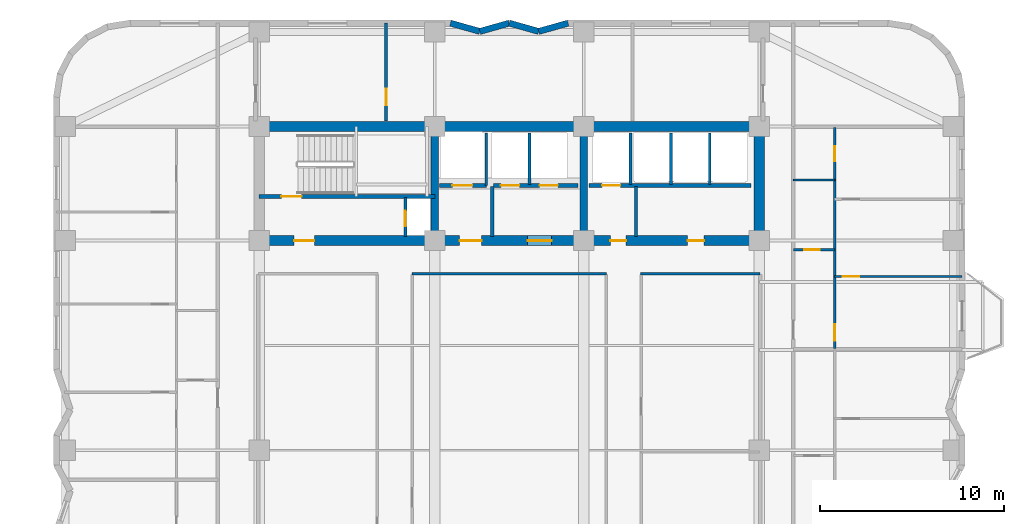
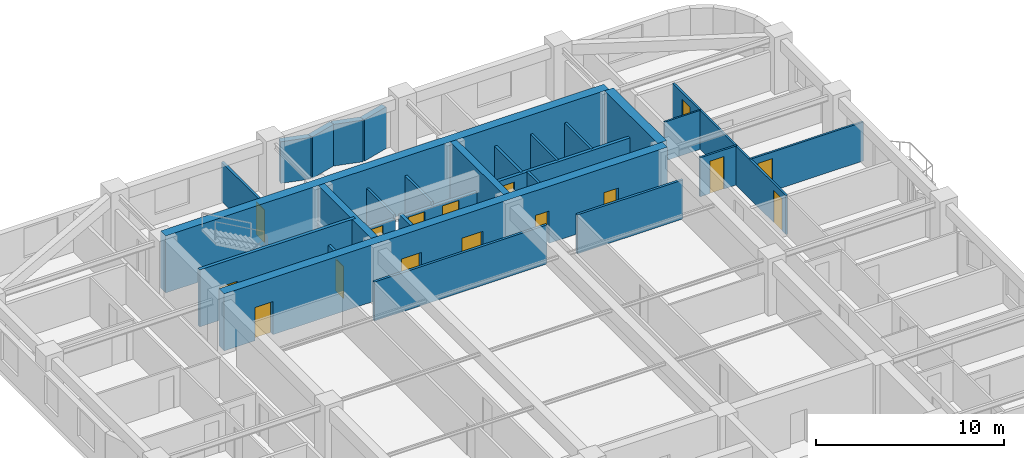
# One storey, part 6 of 9: 28 walls, 16 doors, 16 openings.
"""IFC4 building model written with IfcOpenShell, lengths in metres."""

from ifc_helpers import new_model, si_unit, direction, frame, frame_2d, origin, place, context, subcontext, project, spatial, rectangle, extrude, material, layer, layer_set, type_object, element, fill, save


model = new_model("IFC4")

# Units and contexts
model_context = context("Model", 3, precision=1e-05, world=origin(), true_north=direction((0.0, 1.0)))
body_context = subcontext(model_context, "Body", "Model", "MODEL_VIEW")
ifc_project = project(units=[si_unit("LENGTHUNIT", "METRE"), si_unit("AREAUNIT", "SQUARE_METRE"), si_unit("VOLUMEUNIT", "CUBIC_METRE"), si_unit("PLANEANGLEUNIT", "RADIAN"), si_unit("MASSUNIT", "GRAM", prefix="KILO")], contexts=[model_context])

# Site, building, storey
site_placement = place(None, origin())
site = spatial("IfcSite", under=ifc_project, at=site_placement, CompositionType="ELEMENT")
building_placement = place(site_placement, origin())
building = spatial("IfcBuilding", under=site, at=building_placement, Name="Svetorya Sky Lyceum", CompositionType="ELEMENT")
storey_placement = place(building_placement, frame((0.0, 0.0, 125.300048828125)))
storey = spatial("IfcBuildingStorey", under=building, at=storey_placement, Name="L31", CompositionType="ELEMENT", Elevation=125.300048828125)

# Walls
ifc_material_1 = material(Name="Concrete C40/50", Category="concrete")
ifc_layer_1 = layer(ifc_material_1, 0.39990234375)
ifc_layer_set_1 = layer_set([ifc_layer_1], Name="Concrete C40/50")
wall_type_1 = type_object("IfcWallType", Name="WL-CORE-400", PredefinedType="SHEAR", material=ifc_layer_set_1)
for number, where, z_axis, x_axis, name in (
    (1, (35.14990234375, 39.875, 0.0), (0.0, 0.0, 1.0), (0.0, 1.0, 0.0), "L31 NC Internal Shear Web WEB1"),
    (2, (43.25, 39.875, 0.0), (0.0, 0.0, 1.0), (0.0, 1.0, 0.0), "L31 NC Internal Shear Web WEB2"),
):
    element("IfcWall", number, at=place(storey_placement, frame(where, z_axis=z_axis, x_axis=x_axis)), inside=storey, type_object=wall_type_1, Name=name, PredefinedType="SHEAR", context=body_context, shape_type="SweptSolid", body=[
        extrude(rectangle(XDim=5.64990234375, YDim=0.39990234375, at=frame_2d((2.824951171875, 0.0))), origin(), (0.0, 0.0, 1.0), 3.699951171875),
    ])
ifc_material_2 = material(Name="Concrete C60/75", Category="concrete")
ifc_layer_2 = layer(ifc_material_2, 0.550048828125)
ifc_layer_set_2 = layer_set([ifc_layer_2], Name="Concrete C60/75")
wall_type_2 = type_object("IfcWallType", Name="WL-CORE-550", PredefinedType="SHEAR", material=ifc_layer_set_2)
wall_1_placement = place(storey_placement, frame((25.60009765625, 45.800048828125, 0.0), z_axis=(0.0, 0.0, 1.0), x_axis=(1.0, 0.0, 0.0)))
element("IfcWall", 3, at=wall_1_placement, inside=storey, type_object=wall_type_2, Name="L31 NC Outer Core Shear Wall", PredefinedType="SHEAR", context=body_context, shape_type="SweptSolid", body=[
    extrude(rectangle(XDim=27.199951171875, YDim=0.550048828125, at=frame_2d((13.60009765625, 0.0))), origin(), (0.0, 0.0, 1.0), 3.699951171875),
])
wall_2_placement = place(storey_placement, frame((52.800048828125, 39.875, 0.0), z_axis=(0.0, 0.0, 1.0), x_axis=(0.0, 1.0, 0.0)))
element("IfcWall", 4, at=wall_2_placement, inside=storey, type_object=wall_type_2, Name="L31 NC East Core Shear Wall", PredefinedType="SHEAR", context=body_context, shape_type="SweptSolid", body=[
    extrude(rectangle(XDim=5.64990234375, YDim=0.550048828125, at=frame_2d((2.824951171875, 0.0))), origin(), (0.0, 0.0, 1.0), 3.699951171875),
])

# Wall, openings, doors
wall_3_placement = place(storey_placement, frame((52.800048828125, 39.60009765625, 0.0), z_axis=(0.0, 0.0, 1.0), x_axis=(-1.0, 0.0, 0.0)))
wall_3 = element("IfcWall", 5, at=wall_3_placement, inside=storey, type_object=wall_type_2, Name="L31 NC Inner Core Shear Wall", PredefinedType="SHEAR", context=body_context, shape_type="SweptSolid", body=[
    extrude(rectangle(XDim=27.199951171875, YDim=0.550048828125, at=frame_2d((13.60009765625, 0.0))), origin(), (0.0, 0.0, 1.0), 3.699951171875),
])
opening_1_placement = place(wall_3_placement, frame((24.199951171875, 0.0, 0.0)))
opening_1 = element("IfcOpeningElement", 6, at=opening_1_placement, cuts=wall_3, Name="Opening D-ST1", PredefinedType="OPENING", context=body_context, shape_type="SweptSolid", body=[
    extrude(rectangle(XDim=1.10009765625, YDim=2.14990234375, at=frame_2d((0.550048828125, 1.074951171875))), frame((0.0, 0.284912109375, 0.0), z_axis=(0.0, -1.0, 0.0), x_axis=(1.0, 0.0, 0.0)), (0.0, 0.0, 1.0), 0.570068359375),
])
opening_2_placement = place(wall_3_placement, frame((15.10009765625, 0.0, 0.0)))
opening_2 = element("IfcOpeningElement", 7, at=opening_2_placement, cuts=wall_3, Name="Opening D-FL1", PredefinedType="OPENING", context=body_context, shape_type="SweptSolid", body=[
    extrude(rectangle(XDim=1.199951171875, YDim=2.14990234375, at=frame_2d((0.60009765625, 1.074951171875))), frame((0.0, 0.284912109375, 0.0), z_axis=(0.0, -1.0, 0.0), x_axis=(1.0, 0.0, 0.0)), (0.0, 0.0, 1.0), 0.570068359375),
])
opening_3_placement = place(wall_3_placement, frame((11.300048828125, 0.0, 0.0)))
opening_3 = element("IfcOpeningElement", 8, at=opening_3_placement, cuts=wall_3, Name="Opening D-LB1", PredefinedType="OPENING", context=body_context, shape_type="SweptSolid", body=[
    extrude(rectangle(XDim=1.300048828125, YDim=2.199951171875, at=frame_2d((0.64990234375, 1.10009765625))), frame((0.0, 0.284912109375, 0.0), z_axis=(0.0, -1.0, 0.0), x_axis=(1.0, 0.0, 0.0)), (0.0, 0.0, 1.0), 0.570068359375),
])
opening_4_placement = place(wall_3_placement, frame((7.25, 0.0, 0.0)))
opening_4 = element("IfcOpeningElement", 9, at=opening_4_placement, cuts=wall_3, Name="Opening D-CWC1", PredefinedType="OPENING", context=body_context, shape_type="SweptSolid", body=[
    extrude(rectangle(XDim=0.85009765625, YDim=2.10009765625, at=frame_2d((0.425048828125, 1.050048828125))), frame((0.0, 0.284912109375, 0.0), z_axis=(0.0, -1.0, 0.0), x_axis=(1.0, 0.0, 0.0)), (0.0, 0.0, 1.0), 0.570068359375),
])
opening_5_placement = place(wall_3_placement, frame((3.0, 0.0, 0.0)))
opening_5 = element("IfcOpeningElement", 10, at=opening_5_placement, cuts=wall_3, Name="Opening D-RM1", PredefinedType="OPENING", context=body_context, shape_type="SweptSolid", body=[
    extrude(rectangle(XDim=0.89990234375, YDim=2.10009765625, at=frame_2d((0.449951171875, 1.050048828125))), frame((0.0, 0.284912109375, 0.0), z_axis=(0.0, -1.0, 0.0), x_axis=(1.0, 0.0, 0.0)), (0.0, 0.0, 1.0), 0.570068359375),
])
ifc_material_3 = material(Name="Fire-rated galvanized steel core service closet door", Category="steel")
door_type_1 = type_object("IfcDoorType", Name="DR-CWET-850", OperationType="SINGLE_SWING_LEFT", PredefinedType="DOOR", material=ifc_material_3)
door_1_placement = place(opening_4_placement, origin())
door_1 = element("IfcDoor", 11, at=door_1_placement, inside=storey, type_object=door_type_1, Name="L31 Mid-Rise Lift PM3 Lobby Door", OperationType="SINGLE_SWING_LEFT", OverallHeight=2.10009765625, OverallWidth=0.85009765625, PredefinedType="DOOR", context=body_context, shape_type="SweptSolid", body=[
    extrude(rectangle(XDim=0.85009765625, YDim=2.10009765625, at=frame_2d((0.425048828125, 1.050048828125))), frame((0.0, 0.02490234375, 0.0), z_axis=(0.0, -1.0, 0.0), x_axis=(1.0, 0.0, 0.0)), (0.0, 0.0, 1.0), 0.050048828125),
])
fill(opening_4, door_1)
ifc_material_4 = material(Name="Powder-coated insulated galvanized stair fire door")
door_type_2 = type_object("IfcDoorType", Name="DR-FIRE-1100", OperationType="SINGLE_SWING_LEFT", PredefinedType="DOOR", material=ifc_material_4)
door_2_placement = place(opening_1_placement, origin())
door_2 = element("IfcDoor", 12, at=door_2_placement, inside=storey, type_object=door_type_2, Name="L31 North Stair Airlock Door", OperationType="SINGLE_SWING_LEFT", OverallHeight=2.14990234375, OverallWidth=1.10009765625, PredefinedType="DOOR", context=body_context, shape_type="SweptSolid", body=[
    extrude(rectangle(XDim=1.10009765625, YDim=2.14990234375, at=frame_2d((0.550048828125, 1.074951171875))), frame((0.0, 0.02490234375, 0.0), z_axis=(0.0, -1.0, 0.0), x_axis=(1.0, 0.0, 0.0)), (0.0, 0.0, 1.0), 0.050048828125),
])
fill(opening_1, door_2)
ifc_material_5 = material(Name="Powder-coated insulated galvanized fire door")
door_type_3 = type_object("IfcDoorType", Name="DR-FIRE-1200", OperationType="SINGLE_SWING_LEFT", PredefinedType="DOOR", material=ifc_material_5)
door_3_placement = place(opening_2_placement, origin())
door_3 = element("IfcDoor", 13, at=door_3_placement, inside=storey, type_object=door_type_3, Name="L31 North Firefighting Lift Lobby Door", OperationType="SINGLE_SWING_RIGHT", OverallHeight=2.14990234375, OverallWidth=1.199951171875, PredefinedType="DOOR", context=body_context, shape_type="SweptSolid", body=[
    extrude(rectangle(XDim=1.199951171875, YDim=2.14990234375, at=frame_2d((0.60009765625, 1.074951171875))), frame((0.0, 0.02490234375, 0.0), z_axis=(0.0, -1.0, 0.0), x_axis=(1.0, 0.0, 0.0)), (0.0, 0.0, 1.0), 0.050048828125),
])
fill(opening_2, door_3)
ifc_material_6 = material(Name="Lacquered birch veneer internal door")
door_type_4 = type_object("IfcDoorType", Name="DR-INT-900", OperationType="SINGLE_SWING_LEFT", PredefinedType="DOOR", material=ifc_material_6)
door_4_placement = place(opening_5_placement, origin())
door_4 = element("IfcDoor", 14, at=door_4_placement, inside=storey, type_object=door_type_4, Name="L31 Mid-Rise Store Door", OperationType="SINGLE_SWING_RIGHT", OverallHeight=2.10009765625, OverallWidth=0.89990234375, PredefinedType="DOOR", context=body_context, shape_type="SweptSolid", body=[
    extrude(rectangle(XDim=0.89990234375, YDim=2.10009765625, at=frame_2d((0.449951171875, 1.050048828125))), frame((0.0, 0.02490234375, 0.0), z_axis=(0.0, -1.0, 0.0), x_axis=(1.0, 0.0, 0.0)), (0.0, 0.0, 1.0), 0.050048828125),
])
fill(opening_5, door_4)
ifc_material_7 = material(Name="Glazed fire-rated aluminium lobby door", Category="aluminium")
door_type_5 = type_object("IfcDoorType", Name="DR-LOB-1300", OperationType="SINGLE_SWING_LEFT", PredefinedType="DOOR", material=ifc_material_7)
door_5_placement = place(opening_3_placement, origin())
door_5 = element("IfcDoor", 15, at=door_5_placement, inside=storey, type_object=door_type_5, Name="L31 Mid-Rise Lift Lobby West Door", OperationType="SINGLE_SWING_LEFT", OverallHeight=2.199951171875, OverallWidth=1.300048828125, PredefinedType="DOOR", context=body_context, shape_type="SweptSolid", body=[
    extrude(rectangle(XDim=1.300048828125, YDim=2.199951171875, at=frame_2d((0.64990234375, 1.10009765625))), frame((0.0, 0.02490234375, 0.0), z_axis=(0.0, -1.0, 0.0), x_axis=(1.0, 0.0, 0.0)), (0.0, 0.0, 1.0), 0.050048828125),
])
fill(opening_3, door_5)

# Walls
ifc_material_8 = material(Name="Putilovo limestone rainscreen on autoclaved cellular masonry", Category="masonry")
ifc_layer_3 = layer(ifc_material_8, 0.340087890625)
ifc_layer_set_3 = layer_set([ifc_layer_3], Name="Putilovo limestone rainscreen on autoclaved cellular masonry")
wall_type_3 = type_object("IfcWallType", Name="WL-EXT-340", PredefinedType="SOLIDWALL", material=ifc_layer_set_3)
wall_4_placement = place(storey_placement, frame((42.39990234375, 51.429931640625, 0.0), z_axis=(0.0, 0.0, 1.0), x_axis=(-0.962652136636, -0.270741322725, 0.0)))
element("IfcWall", 16, at=wall_4_placement, inside=storey, type_object=wall_type_3, Name="L31 Limestone Exterior Wall 30M", PredefinedType="SOLIDWALL", context=body_context, shape_type="SweptSolid", body=[
    extrude(rectangle(XDim=1.661865234375, YDim=0.340087890625, at=frame_2d((0.8310546875, 0.0))), origin(), (0.0, 0.0, 1.0), 2.699951171875),
])
wall_5_placement = place(storey_placement, frame((40.800048828125, 50.97998046875, 0.0), z_axis=(0.0, 0.0, 1.0), x_axis=(-0.962662902433, 0.270703040766, 0.0)))
element("IfcWall", 17, at=wall_5_placement, inside=storey, type_object=wall_type_3, Name="L31 Limestone Exterior Wall 31M", PredefinedType="SOLIDWALL", context=body_context, shape_type="SweptSolid", body=[
    extrude(rectangle(XDim=1.662109375, YDim=0.340087890625, at=frame_2d((0.8310546875, 0.0))), origin(), (0.0, 0.0, 1.0), 2.699951171875),
])
wall_6_placement = place(storey_placement, frame((39.199951171875, 51.429931640625, 0.0), z_axis=(0.0, 0.0, 1.0), x_axis=(-0.962652136636, -0.270741322725, 0.0)))
element("IfcWall", 18, at=wall_6_placement, inside=storey, type_object=wall_type_3, Name="L31 Limestone Exterior Wall 32M", PredefinedType="SOLIDWALL", context=body_context, shape_type="SweptSolid", body=[
    extrude(rectangle(XDim=1.661865234375, YDim=0.340087890625, at=frame_2d((0.8310546875, 0.0))), origin(), (0.0, 0.0, 1.0), 2.699951171875),
])
wall_7_placement = place(storey_placement, frame((37.60009765625, 50.97998046875, 0.0), z_axis=(0.0, 0.0, 1.0), x_axis=(-0.962662902433, 0.270703040766, 0.0)))
element("IfcWall", 19, at=wall_7_placement, inside=storey, type_object=wall_type_3, Name="L31 Limestone Exterior Wall 33M", PredefinedType="SOLIDWALL", context=body_context, shape_type="SweptSolid", body=[
    extrude(rectangle(XDim=1.662109375, YDim=0.340087890625, at=frame_2d((0.8310546875, 0.0))), origin(), (0.0, 0.0, 1.0), 2.699951171875),
])
ifc_material_9 = material(Name="Galvanized stud partition with moisture-resistant board", Category="gypsum")
ifc_layer_4 = layer(ifc_material_9, 0.10009765625)
ifc_layer_set_4 = layer_set([ifc_layer_4], Name="Galvanized stud partition with moisture-resistant board")
wall_type_4 = type_object("IfcWallType", Name="WL-PART-100", PredefinedType="PARTITIONING", material=ifc_layer_set_4)
wall_8_placement = place(storey_placement, frame((54.64990234375, 42.89990234375, 0.0), z_axis=(0.0, 0.0, 1.0), x_axis=(1.0, 0.0, 0.0)))
element("IfcWall", 20, at=wall_8_placement, inside=storey, type_object=wall_type_4, Name="L31 Interior Partition E3-WH2", PredefinedType="PARTITIONING", context=body_context, shape_type="SweptSolid", body=[
    extrude(rectangle(XDim=2.25, YDim=0.10009765625, at=frame_2d((1.125, 0.0))), origin(), (0.0, 0.0, 1.0), 2.530029296875),
])

# Wall, opening, door
ifc_material_10 = material(Name="Twin-stud galvanized framing with double fireboard", Category="gypsum")
ifc_layer_5 = layer(ifc_material_10, 0.1201171875)
ifc_layer_set_5 = layer_set([ifc_layer_5], Name="Twin-stud galvanized framing with double fireboard")
wall_type_5 = type_object("IfcWallType", Name="WL-PART-120", PredefinedType="PARTITIONING", material=ifc_layer_set_5)
wall_9_placement = place(storey_placement, frame((54.64990234375, 39.10009765625, 0.0), z_axis=(0.0, 0.0, 1.0), x_axis=(1.0, 0.0, 0.0)))
wall_9 = element("IfcWall", 21, at=wall_9_placement, inside=storey, type_object=wall_type_5, Name="L31 Interior Partition E3-WH1", PredefinedType="PARTITIONING", context=body_context, shape_type="SweptSolid", body=[
    extrude(rectangle(XDim=2.25, YDim=0.1201171875, at=frame_2d((1.125, 0.0))), origin(), (0.0, 0.0, 1.0), 2.530029296875),
])
opening_6_placement = place(wall_9_placement, frame((0.60009765625, 0.0, 0.0)))
opening_6 = element("IfcOpeningElement", 22, at=opening_6_placement, cuts=wall_9, Name="Opening D-BT1", PredefinedType="OPENING", context=body_context, shape_type="SweptSolid", body=[
    extrude(rectangle(XDim=0.85009765625, YDim=2.10009765625, at=frame_2d((0.425048828125, 1.050048828125))), frame((0.0, 0.070068359375, 0.0), z_axis=(0.0, -1.0, 0.0), x_axis=(1.0, 0.0, 0.0)), (0.0, 0.0, 1.0), 0.14013671875),
])
ifc_material_11 = material(Name="Moisture-resistant laminate bathroom door")
door_type_6 = type_object("IfcDoorType", Name="DR-WET-850", OperationType="SINGLE_SWING_LEFT", PredefinedType="DOOR", material=ifc_material_11)
door_6_placement = place(opening_6_placement, origin())
door_6 = element("IfcDoor", 23, at=door_6_placement, inside=storey, type_object=door_type_6, Name="Apartment E3 Bathroom Door", OperationType="SINGLE_SWING_RIGHT", OverallHeight=2.10009765625, OverallWidth=0.85009765625, PredefinedType="DOOR", context=body_context, shape_type="SweptSolid", body=[
    extrude(rectangle(XDim=0.85009765625, YDim=2.10009765625, at=frame_2d((0.425048828125, 1.050048828125))), frame((0.0, 0.02490234375, 0.0), z_axis=(0.0, -1.0, 0.0), x_axis=(1.0, 0.0, 0.0)), (0.0, 0.0, 1.0), 0.050048828125),
])
fill(opening_6, door_6)

wall_10_placement = place(storey_placement, frame((56.89990234375, 37.64990234375, 0.0), z_axis=(0.0, 0.0, 1.0), x_axis=(1.0, 0.0, 0.0)))
wall_10 = element("IfcWall", 24, at=wall_10_placement, inside=storey, type_object=wall_type_5, Name="L31 Interior Partition E3-WL1", PredefinedType="PARTITIONING", context=body_context, shape_type="SweptSolid", body=[
    extrude(rectangle(XDim=6.93017578125, YDim=0.1201171875, at=frame_2d((3.465087890625, 0.0))), origin(), (0.0, 0.0, 1.0), 2.530029296875),
])
opening_7_placement = place(wall_10_placement, frame((0.449951171875, 0.0, 0.0)))
opening_7 = element("IfcOpeningElement", 25, at=opening_7_placement, cuts=wall_10, Name="Opening D-RM1", PredefinedType="OPENING", context=body_context, shape_type="SweptSolid", body=[
    extrude(rectangle(XDim=0.89990234375, YDim=2.10009765625, at=frame_2d((0.449951171875, 1.050048828125))), frame((0.0, 0.070068359375, 0.0), z_axis=(0.0, -1.0, 0.0), x_axis=(1.0, 0.0, 0.0)), (0.0, 0.0, 1.0), 0.14013671875),
])
door_7_placement = place(opening_7_placement, origin())
door_7 = element("IfcDoor", 26, at=door_7_placement, inside=storey, type_object=door_type_4, Name="Apartment E3 Master Bedroom Door", OperationType="SINGLE_SWING_RIGHT", OverallHeight=2.10009765625, OverallWidth=0.89990234375, PredefinedType="DOOR", context=body_context, shape_type="SweptSolid", body=[
    extrude(rectangle(XDim=0.89990234375, YDim=2.10009765625, at=frame_2d((0.449951171875, 1.050048828125))), frame((0.0, 0.02490234375, 0.0), z_axis=(0.0, -1.0, 0.0), x_axis=(1.0, 0.0, 0.0)), (0.0, 0.0, 1.0), 0.050048828125),
])
fill(opening_7, door_7)

# Wall, openings, doors
wall_11_placement = place(storey_placement, frame((56.89990234375, 33.739990234375, 0.0), z_axis=(0.0, 0.0, 1.0), x_axis=(0.0, 1.0, 0.0)))
wall_11 = element("IfcWall", 27, at=wall_11_placement, inside=storey, type_object=wall_type_5, Name="L31 Interior Partition E3-WV", PredefinedType="PARTITIONING", context=body_context, shape_type="SweptSolid", body=[
    extrude(rectangle(XDim=12.02001953125, YDim=0.1201171875, at=frame_2d((6.010009765625, 0.0))), origin(), (0.0, 0.0, 1.0), 2.530029296875),
])
opening_8_placement = place(wall_11_placement, frame((0.409912109375, 0.0, 0.0)))
opening_8 = element("IfcOpeningElement", 28, at=opening_8_placement, cuts=wall_11, Name="Opening D-RM1", PredefinedType="OPENING", context=body_context, shape_type="SweptSolid", body=[
    extrude(rectangle(XDim=0.89990234375, YDim=2.10009765625, at=frame_2d((0.449951171875, 1.050048828125))), frame((0.0, 0.070068359375, 0.0), z_axis=(0.0, -1.0, 0.0), x_axis=(1.0, 0.0, 0.0)), (0.0, 0.0, 1.0), 0.14013671875),
])
opening_9_placement = place(wall_11_placement, frame((10.18505859375, 0.0, 0.0)))
opening_9 = element("IfcOpeningElement", 29, at=opening_9_placement, cuts=wall_11, Name="Opening D-BT2", PredefinedType="OPENING", context=body_context, shape_type="SweptSolid", body=[
    extrude(rectangle(XDim=0.820068359375, YDim=2.080078125, at=frame_2d((0.41015625, 1.0400390625))), frame((0.0, 0.070068359375, 0.0), z_axis=(0.0, -1.0, 0.0), x_axis=(1.0, 0.0, 0.0)), (0.0, 0.0, 1.0), 0.14013671875),
])
door_8_placement = place(opening_8_placement, origin())
door_8 = element("IfcDoor", 30, at=door_8_placement, inside=storey, type_object=door_type_4, Name="Apartment E3 Living Door", OperationType="SINGLE_SWING_LEFT", OverallHeight=2.10009765625, OverallWidth=0.89990234375, PredefinedType="DOOR", context=body_context, shape_type="SweptSolid", body=[
    extrude(rectangle(XDim=0.89990234375, YDim=2.10009765625, at=frame_2d((0.449951171875, 1.050048828125))), frame((0.0, 0.02490234375, 0.0), z_axis=(0.0, -1.0, 0.0), x_axis=(1.0, 0.0, 0.0)), (0.0, 0.0, 1.0), 0.050048828125),
])
fill(opening_8, door_8)
ifc_material_12 = material(Name="Compact moisture-resistant laminate closet door")
door_type_7 = type_object("IfcDoorType", Name="DR-WET-820", OperationType="SINGLE_SWING_LEFT", PredefinedType="DOOR", material=ifc_material_12)
door_9_placement = place(opening_9_placement, origin())
door_9 = element("IfcDoor", 31, at=door_9_placement, inside=storey, type_object=door_type_7, Name="Apartment E3 Study Door", OperationType="SINGLE_SWING_RIGHT", OverallHeight=2.080078125, OverallWidth=0.820068359375, PredefinedType="DOOR", context=body_context, shape_type="SweptSolid", body=[
    extrude(rectangle(XDim=0.820068359375, YDim=2.080078125, at=frame_2d((0.41015625, 1.0400390625))), frame((0.0, 0.02490234375, 0.0), z_axis=(0.0, -1.0, 0.0), x_axis=(1.0, 0.0, 0.0)), (0.0, 0.0, 1.0), 0.050048828125),
])
fill(opening_9, door_9)

# Wall, opening, door
ifc_material_13 = material(Name="Autoclaved cellular masonry blockwork with acoustic render", Category="masonry")
ifc_layer_6 = layer(ifc_material_13, 0.14990234375)
ifc_layer_set_6 = layer_set([ifc_layer_6], Name="Autoclaved cellular masonry blockwork with acoustic render")
wall_type_6 = type_object("IfcWallType", Name="WL-PART-150", PredefinedType="PARTITIONING", material=ifc_layer_set_6)
wall_12_placement = place(storey_placement, frame((33.550048828125, 39.820068359375, 0.0), z_axis=(0.0, 0.0, 1.0), x_axis=(0.0, 1.0, 0.0)))
wall_12 = element("IfcWall", 32, at=wall_12_placement, inside=storey, type_object=wall_type_6, Name="L31 Interior Partition NC-RSRW", PredefinedType="PARTITIONING", context=body_context, shape_type="SweptSolid", body=[
    extrude(rectangle(XDim=2.1298828125, YDim=0.14990234375, at=frame_2d((1.06494140625, 0.0))), origin(), (0.0, 0.0, 1.0), 2.530029296875),
])
opening_10_placement = place(wall_12_placement, frame((0.550048828125, 0.0, 0.0)))
opening_10 = element("IfcOpeningElement", 33, at=opening_10_placement, cuts=wall_12, Name="Opening D-SH1", PredefinedType="OPENING", context=body_context, shape_type="SweptSolid", body=[
    extrude(rectangle(XDim=0.85009765625, YDim=2.050048828125, at=frame_2d((0.425048828125, 1.02490234375))), frame((0.0, 0.0849609375, 0.0), z_axis=(0.0, -1.0, 0.0), x_axis=(1.0, 0.0, 0.0)), (0.0, 0.0, 1.0), 0.169921875),
])
ifc_material_14 = material(Name="Insulated galvanized riser inspection fire door")
door_type_8 = type_object("IfcDoorType", Name="DR-SHFT-850", OperationType="SINGLE_SWING_LEFT", PredefinedType="TRAPDOOR", material=ifc_material_14)
door_10_placement = place(opening_10_placement, origin())
door_10 = element("IfcDoor", 34, at=door_10_placement, inside=storey, type_object=door_type_8, Name="L31 North Riser Access Door", OperationType="SINGLE_SWING_LEFT", OverallHeight=2.050048828125, OverallWidth=0.85009765625, PredefinedType="TRAPDOOR", context=body_context, shape_type="SweptSolid", body=[
    extrude(rectangle(XDim=0.85009765625, YDim=2.050048828125, at=frame_2d((0.425048828125, 1.02490234375))), frame((0.0, 0.02490234375, 0.0), z_axis=(0.0, -1.0, 0.0), x_axis=(1.0, 0.0, 0.0)), (0.0, 0.0, 1.0), 0.050048828125),
])
fill(opening_10, door_10)

# Walls
wall_13_placement = place(storey_placement, frame((37.949951171875, 42.60009765625, 0.0), z_axis=(0.0, 0.0, 1.0), x_axis=(0.0, 1.0, 0.0)))
element("IfcWall", 35, at=wall_13_placement, inside=storey, type_object=wall_type_6, Name="L31 Interior Partition NC-FL1SIDE", PredefinedType="PARTITIONING", context=body_context, shape_type="SweptSolid", body=[
    extrude(rectangle(XDim=2.849853515625, YDim=0.14990234375, at=frame_2d((1.4248046875, 0.0))), origin(), (0.0, 0.0, 1.0), 2.530029296875),
])
for number, where, z_axis, x_axis, name in (
    (36, (40.300048828125, 42.64990234375, 0.0), (0.0, 0.0, 1.0), (0.0, 1.0, 0.0), "L31 Interior Partition NC-PM-D1"),
    (37, (45.800048828125, 42.64990234375, 0.0), (0.0, 0.0, 1.0), (0.0, 1.0, 0.0), "L31 Interior Partition NC-PM3-D"),
    (38, (48.0, 42.64990234375, 0.0), (0.0, 0.0, 1.0), (0.0, 1.0, 0.0), "L31 Interior Partition NC-PH-D1"),
    (39, (50.10009765625, 42.64990234375, 0.0), (0.0, 0.0, 1.0), (0.0, 1.0, 0.0), "L31 Interior Partition NC-PH-D2"),
):
    element("IfcWall", number, at=place(storey_placement, frame(where, z_axis=z_axis, x_axis=x_axis)), inside=storey, type_object=wall_type_6, Name=name, PredefinedType="PARTITIONING", context=body_context, shape_type="SweptSolid", body=[
        extrude(rectangle(XDim=2.800048828125, YDim=0.14990234375, at=frame_2d((1.39990234375, 0.0))), origin(), (0.0, 0.0, 1.0), 2.530029296875),
    ])
wall_14_placement = place(storey_placement, frame((46.10009765625, 39.820068359375, 0.0), z_axis=(0.0, 0.0, 1.0), x_axis=(0.0, 1.0, 0.0)))
element("IfcWall", 40, at=wall_14_placement, inside=storey, type_object=wall_type_6, Name="L31 Interior Partition NC-PM3SEP", PredefinedType="PARTITIONING", context=body_context, shape_type="SweptSolid", body=[
    extrude(rectangle(XDim=2.72998046875, YDim=0.14990234375, at=frame_2d((1.364990234375, 0.0))), origin(), (0.0, 0.0, 1.0), 2.530029296875),
])
wall_15_placement = place(storey_placement, frame((33.89990234375, 37.800048828125, 0.0), z_axis=(0.0, 0.0, 1.0), x_axis=(1.0, 0.0, 0.0)))
element("IfcWall", 41, at=wall_15_placement, inside=storey, type_object=wall_type_6, Name="L31 Interior Partition RL-CN-M", PredefinedType="PARTITIONING", context=body_context, shape_type="SweptSolid", body=[
    extrude(rectangle(XDim=10.60009765625, YDim=0.14990234375, at=frame_2d((5.300048828125, 0.0))), origin(), (0.0, 0.0, 1.0), 2.530029296875),
])
wall_16_placement = place(storey_placement, frame((46.35009765625, 37.800048828125, 0.0), z_axis=(0.0, 0.0, 1.0), x_axis=(1.0, 0.0, 0.0)))
element("IfcWall", 42, at=wall_16_placement, inside=storey, type_object=wall_type_6, Name="L31 Interior Partition RL-CN-E", PredefinedType="PARTITIONING", context=body_context, shape_type="SweptSolid", body=[
    extrude(rectangle(XDim=6.5, YDim=0.14990234375, at=frame_2d((3.25, 0.0))), origin(), (0.0, 0.0, 1.0), 2.530029296875),
])

# Wall, opening, door
wall_17_placement = place(storey_placement, frame((32.5, 46.10009765625, 0.0), z_axis=(0.0, 0.0, 1.0), x_axis=(0.0, 1.0, 0.0)))
wall_17 = element("IfcWall", 43, at=wall_17_placement, inside=storey, type_object=wall_type_6, Name="L31 Interior Partition N-D1", PredefinedType="PARTITIONING", context=body_context, shape_type="SweptSolid", body=[
    extrude(rectangle(XDim=5.329833984375, YDim=0.14990234375, at=frame_2d((2.6650390625, 0.0))), origin(), (0.0, 0.0, 1.0), 2.530029296875),
])
opening_11_placement = place(wall_17_placement, frame((0.85009765625, 0.0, 0.0)))
opening_11 = element("IfcOpeningElement", 44, at=opening_11_placement, cuts=wall_17, Name="Opening D-RM1", PredefinedType="OPENING", context=body_context, shape_type="SweptSolid", body=[
    extrude(rectangle(XDim=0.89990234375, YDim=2.10009765625, at=frame_2d((0.449951171875, 1.050048828125))), frame((0.0, 0.0849609375, 0.0), z_axis=(0.0, -1.0, 0.0), x_axis=(1.0, 0.0, 0.0)), (0.0, 0.0, 1.0), 0.169921875),
])
door_11_placement = place(opening_11_placement, origin())
door_11 = element("IfcDoor", 45, at=door_11_placement, inside=storey, type_object=door_type_4, Name="L31 North Store Door", OperationType="SINGLE_SWING_RIGHT", OverallHeight=2.10009765625, OverallWidth=0.89990234375, PredefinedType="DOOR", context=body_context, shape_type="SweptSolid", body=[
    extrude(rectangle(XDim=0.89990234375, YDim=2.10009765625, at=frame_2d((0.449951171875, 1.050048828125))), frame((0.0, 0.02490234375, 0.0), z_axis=(0.0, -1.0, 0.0), x_axis=(1.0, 0.0, 0.0)), (0.0, 0.0, 1.0), 0.050048828125),
])
fill(opening_11, door_11)

ifc_material_15 = material(Name="Autoclaved cellular masonry blockwork with gypsum plaster", Category="masonry")
ifc_layer_7 = layer(ifc_material_15, 0.199951171875)
ifc_layer_set_7 = layer_set([ifc_layer_7], Name="Autoclaved cellular masonry blockwork with gypsum plaster")
wall_type_7 = type_object("IfcWallType", Name="WL-PART-200", PredefinedType="PARTITIONING", material=ifc_layer_set_7)
wall_18_placement = place(storey_placement, frame((37.949951171875, 42.60009765625, 0.0), z_axis=(0.0, 0.0, 1.0), x_axis=(-1.0, 0.0, 0.0)))
wall_18 = element("IfcWall", 46, at=wall_18_placement, inside=storey, type_object=wall_type_7, Name="L31 Interior Partition NC-FL1W", PredefinedType="PARTITIONING", context=body_context, shape_type="SweptSolid", body=[
    extrude(rectangle(XDim=2.550048828125, YDim=0.199951171875, at=frame_2d((1.27490234375, 0.0))), origin(), (0.0, 0.0, 1.0), 2.300048828125),
])
opening_12_placement = place(wall_18_placement, frame((0.75, 0.0, 0.0)))
opening_12 = element("IfcOpeningElement", 47, at=opening_12_placement, cuts=wall_18, Name="Opening LD-FL", PredefinedType="OPENING", context=body_context, shape_type="SweptSolid", body=[
    extrude(rectangle(XDim=1.10009765625, YDim=2.14990234375, at=frame_2d((0.550048828125, 1.074951171875))), frame((0.0, 0.10986328125, 0.0), z_axis=(0.0, -1.0, 0.0), x_axis=(1.0, 0.0, 0.0)), (0.0, 0.0, 1.0), 0.219970703125),
])
ifc_material_16 = material(Name="Fire-rated stainless AISI 304 firefighting lift landing door")
door_type_9 = type_object("IfcDoorType", Name="DR-LIFT-1100", OperationType="SLIDING_TO_LEFT", PredefinedType="DOOR", material=ifc_material_16)
door_12_placement = place(opening_12_placement, origin())
door_12 = element("IfcDoor", 48, at=door_12_placement, inside=storey, type_object=door_type_9, Name="L31 Firefighting Lift FL1 Landing Door", OperationType="SLIDING_TO_LEFT", OverallHeight=2.14990234375, OverallWidth=1.10009765625, PredefinedType="DOOR", context=body_context, shape_type="SweptSolid", body=[
    extrude(rectangle(XDim=1.10009765625, YDim=2.14990234375, at=frame_2d((0.550048828125, 1.074951171875))), frame((0.0, 0.02490234375, 0.0), z_axis=(0.0, -1.0, 0.0), x_axis=(1.0, 0.0, 0.0)), (0.0, 0.0, 1.0), 0.050048828125),
])
fill(opening_12, door_12)

# Wall
wall_19_placement = place(storey_placement, frame((38.280029296875, 39.820068359375, 0.0), z_axis=(0.0, 0.0, 1.0), x_axis=(0.0, 1.0, 0.0)))
element("IfcWall", 49, at=wall_19_placement, inside=storey, type_object=wall_type_7, Name="L31 Interior Partition NC-FFLDIV", PredefinedType="PARTITIONING", context=body_context, shape_type="SweptSolid", body=[
    extrude(rectangle(XDim=2.72998046875, YDim=0.199951171875, at=frame_2d((1.364990234375, 0.0))), origin(), (0.0, 0.0, 1.0), 2.530029296875),
])

# Wall, openings, doors
wall_20_placement = place(storey_placement, frame((42.949951171875, 42.60009765625, 0.0), z_axis=(0.0, 0.0, 1.0), x_axis=(-1.0, 0.0, 0.0)))
wall_20 = element("IfcWall", 50, at=wall_20_placement, inside=storey, type_object=wall_type_7, Name="L31 Interior Partition NC-PM12W", PredefinedType="PARTITIONING", context=body_context, shape_type="SweptSolid", body=[
    extrude(rectangle(XDim=4.599853515625, YDim=0.199951171875, at=frame_2d((2.2998046875, 0.0))), origin(), (0.0, 0.0, 1.0), 2.300048828125),
])
opening_13_placement = place(wall_20_placement, frame((3.199951171875, 0.0, 0.0)))
opening_13 = element("IfcOpeningElement", 51, at=opening_13_placement, cuts=wall_20, Name="Opening LD-P1", PredefinedType="OPENING", context=body_context, shape_type="SweptSolid", body=[
    extrude(rectangle(XDim=1.0, YDim=2.14990234375, at=frame_2d((0.5, 1.074951171875))), frame((0.0, 0.10986328125, 0.0), z_axis=(0.0, -1.0, 0.0), x_axis=(1.0, 0.0, 0.0)), (0.0, 0.0, 1.0), 0.219970703125),
])
opening_14_placement = place(wall_20_placement, frame((1.10009765625, 0.0, 0.0)))
opening_14 = element("IfcOpeningElement", 52, at=opening_14_placement, cuts=wall_20, Name="Opening LD-P1", PredefinedType="OPENING", context=body_context, shape_type="SweptSolid", body=[
    extrude(rectangle(XDim=1.0, YDim=2.14990234375, at=frame_2d((0.5, 1.074951171875))), frame((0.0, 0.10986328125, 0.0), z_axis=(0.0, -1.0, 0.0), x_axis=(1.0, 0.0, 0.0)), (0.0, 0.0, 1.0), 0.219970703125),
])
ifc_material_17 = material(Name="Champagne-anodized stainless passenger lift landing door")
door_type_10 = type_object("IfcDoorType", Name="DR-LIFT-1000", OperationType="SLIDING_TO_LEFT", PredefinedType="DOOR", material=ifc_material_17)
door_13_placement = place(opening_13_placement, origin())
door_13 = element("IfcDoor", 53, at=door_13_placement, inside=storey, type_object=door_type_10, Name="L31 Passenger Lift PM1 Landing Door", OperationType="SLIDING_TO_LEFT", OverallHeight=2.14990234375, OverallWidth=1.0, PredefinedType="DOOR", context=body_context, shape_type="SweptSolid", body=[
    extrude(rectangle(XDim=1.0, YDim=2.14990234375, at=frame_2d((0.5, 1.074951171875))), frame((0.0, 0.02490234375, 0.0), z_axis=(0.0, -1.0, 0.0), x_axis=(1.0, 0.0, 0.0)), (0.0, 0.0, 1.0), 0.050048828125),
])
fill(opening_13, door_13)
door_14_placement = place(opening_14_placement, origin())
door_14 = element("IfcDoor", 54, at=door_14_placement, inside=storey, type_object=door_type_10, Name="L31 Passenger Lift PM2 Landing Door", OperationType="SLIDING_TO_LEFT", OverallHeight=2.14990234375, OverallWidth=1.0, PredefinedType="DOOR", context=body_context, shape_type="SweptSolid", body=[
    extrude(rectangle(XDim=1.0, YDim=2.14990234375, at=frame_2d((0.5, 1.074951171875))), frame((0.0, 0.02490234375, 0.0), z_axis=(0.0, -1.0, 0.0), x_axis=(1.0, 0.0, 0.0)), (0.0, 0.0, 1.0), 0.050048828125),
])
fill(opening_14, door_14)

# Wall, opening, door
wall_21_placement = place(storey_placement, frame((52.35009765625, 42.60009765625, 0.0), z_axis=(0.0, 0.0, 1.0), x_axis=(-1.0, 0.0, 0.0)))
wall_21 = element("IfcWall", 55, at=wall_21_placement, inside=storey, type_object=wall_type_7, Name="L31 Interior Partition NC-PHEW", PredefinedType="PARTITIONING", context=body_context, shape_type="SweptSolid", body=[
    extrude(rectangle(XDim=8.800048828125, YDim=0.199951171875, at=frame_2d((4.39990234375, 0.0))), origin(), (0.0, 0.0, 1.0), 2.530029296875),
])
opening_15_placement = place(wall_21_placement, frame((7.10009765625, 0.0, 0.0)))
opening_15 = element("IfcOpeningElement", 56, at=opening_15_placement, cuts=wall_21, Name="Opening LD-P1", PredefinedType="OPENING", context=body_context, shape_type="SweptSolid", body=[
    extrude(rectangle(XDim=1.0, YDim=2.14990234375, at=frame_2d((0.5, 1.074951171875))), frame((0.0, 0.10986328125, 0.0), z_axis=(0.0, -1.0, 0.0), x_axis=(1.0, 0.0, 0.0)), (0.0, 0.0, 1.0), 0.219970703125),
])
door_15_placement = place(opening_15_placement, origin())
door_15 = element("IfcDoor", 57, at=door_15_placement, inside=storey, type_object=door_type_10, Name="L31 Passenger Lift PM3 Landing Door", OperationType="SLIDING_TO_LEFT", OverallHeight=2.14990234375, OverallWidth=1.0, PredefinedType="DOOR", context=body_context, shape_type="SweptSolid", body=[
    extrude(rectangle(XDim=1.0, YDim=2.14990234375, at=frame_2d((0.5, 1.074951171875))), frame((0.0, 0.02490234375, 0.0), z_axis=(0.0, -1.0, 0.0), x_axis=(1.0, 0.0, 0.0)), (0.0, 0.0, 1.0), 0.050048828125),
])
fill(opening_15, door_15)

ifc_material_18 = material(Name="Concrete C50/60", Category="concrete")
ifc_layer_8 = layer(ifc_material_18, 0.199951171875)
ifc_layer_set_8 = layer_set([ifc_layer_8], Name="Concrete C50/60")
wall_type_8 = type_object("IfcWallType", Name="WL-SHW-200", PredefinedType="SHEAR", material=ifc_layer_set_8)
wall_22_placement = place(storey_placement, frame((35.14990234375, 42.0, 0.0), z_axis=(0.0, 0.0, 1.0), x_axis=(-1.0, 0.0, 0.0)))
wall_22 = element("IfcWall", 58, at=wall_22_placement, inside=storey, type_object=wall_type_8, Name="L31 Structural Stair Shaft Wall NC-STW", PredefinedType="SHEAR", context=body_context, shape_type="SweptSolid", body=[
    extrude(rectangle(XDim=9.5498046875, YDim=0.199951171875, at=frame_2d((4.77490234375, 0.0))), origin(), (0.0, 0.0, 1.0), 3.699951171875),
])
opening_16_placement = place(wall_22_placement, frame((7.25, 0.0, 0.0)))
opening_16 = element("IfcOpeningElement", 59, at=opening_16_placement, cuts=wall_22, Name="Opening D-ST1", PredefinedType="OPENING", context=body_context, shape_type="SweptSolid", body=[
    extrude(rectangle(XDim=1.10009765625, YDim=2.14990234375, at=frame_2d((0.550048828125, 1.074951171875))), frame((0.0, 0.10986328125, 0.0), z_axis=(0.0, -1.0, 0.0), x_axis=(1.0, 0.0, 0.0)), (0.0, 0.0, 1.0), 0.219970703125),
])
door_16_placement = place(opening_16_placement, origin())
door_16 = element("IfcDoor", 60, at=door_16_placement, inside=storey, type_object=door_type_2, Name="L31 Stair ST-N Vestibule Fire Door", OperationType="SINGLE_SWING_RIGHT", OverallHeight=2.14990234375, OverallWidth=1.10009765625, PredefinedType="DOOR", context=body_context, shape_type="SweptSolid", body=[
    extrude(rectangle(XDim=1.10009765625, YDim=2.14990234375, at=frame_2d((0.550048828125, 1.074951171875))), frame((0.0, 0.02490234375, 0.0), z_axis=(0.0, -1.0, 0.0), x_axis=(1.0, 0.0, 0.0)), (0.0, 0.0, 1.0), 0.050048828125),
])
fill(opening_16, door_16)

save(model, "model.ifc")
